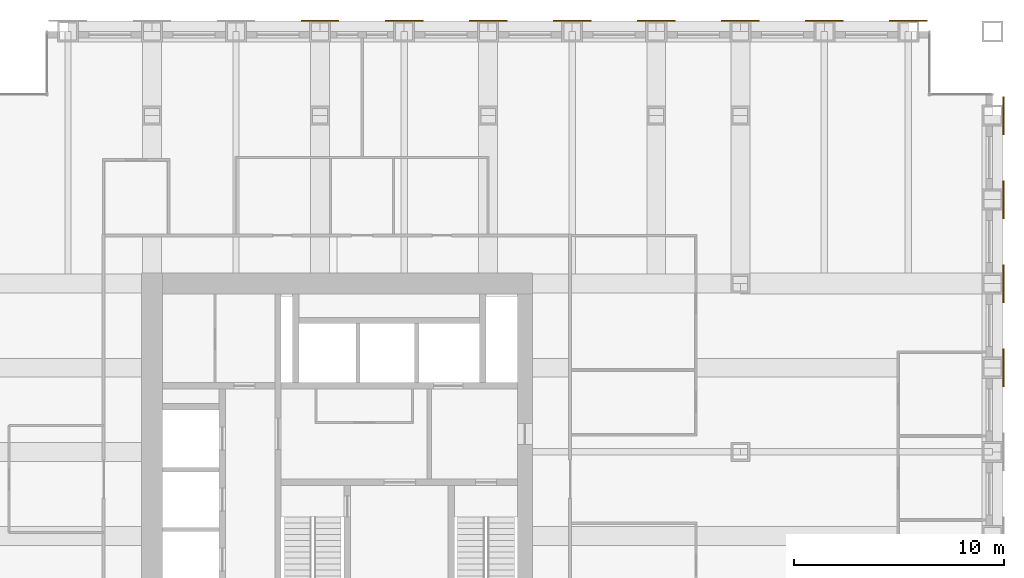
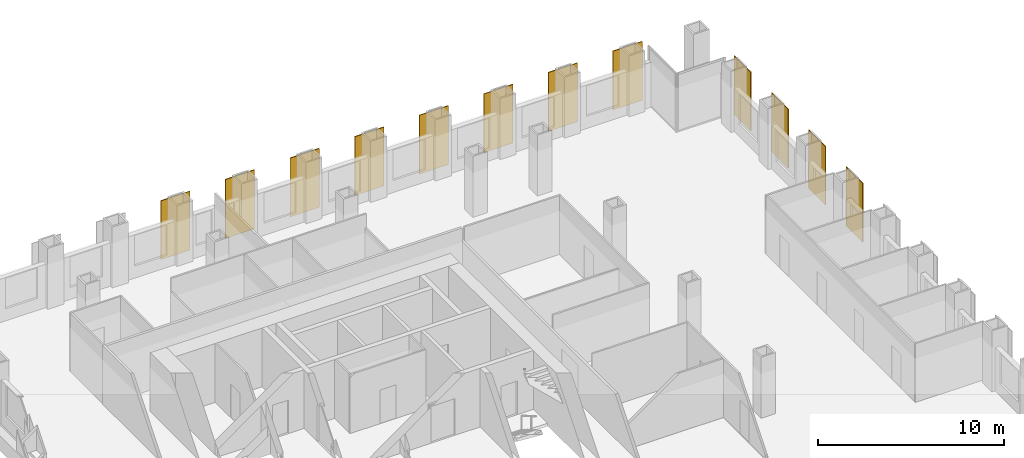
# One storey, part 16 of 16: 12 shading devices.
"""IFC4 building model written with IfcOpenShell, lengths in metres."""

from ifc_helpers import new_model, si_unit, direction, frame, origin, origin_2d, place, context, subcontext, project, spatial, rectangle, extrude, material, layer, layer_set, type_object, element, save


model = new_model("IFC4")

# Units and contexts
model_context = context("Model", 3, precision=1e-05, world=origin(), true_north=direction((0.0, 1.0)))
body_context = subcontext(model_context, "Body", "Model", "MODEL_VIEW")
ifc_project = project(units=[si_unit("LENGTHUNIT", "METRE"), si_unit("AREAUNIT", "SQUARE_METRE"), si_unit("VOLUMEUNIT", "CUBIC_METRE"), si_unit("PLANEANGLEUNIT", "RADIAN"), si_unit("MASSUNIT", "GRAM", prefix="KILO")], contexts=[model_context])

# Site, building, storey
site_placement = place(None, origin())
site = spatial("IfcSite", under=ifc_project, at=site_placement, CompositionType="ELEMENT")
building_placement = place(site_placement, origin())
building = spatial("IfcBuilding", under=site, at=building_placement, Name="Rimbunsela Tower", CompositionType="ELEMENT")
storey_placement = place(building_placement, frame((0.0, 0.0, 85.39990234375)))
storey = spatial("IfcBuildingStorey", under=building, at=storey_placement, Name="L20", CompositionType="ELEMENT", Elevation=85.39990234375)

# Shading devices
ifc_material = material(Name="Perforated aluminium, 35 % open area", Category="aluminium")
ifc_layer = layer(ifc_material, 0.050048828125)
ifc_layer_set = layer_set([ifc_layer], Name="Solar screen panel 1800")
shading_device_type = type_object("IfcShadingDeviceType", Name="Solar screen panel 1800", PredefinedType="USERDEFINED", material=ifc_layer_set)
for number, where, z_axis, x_axis, name in (
    (1, (58.52490234375, 32.0, 0.0), (0.0, 0.0, 1.0), (0.0, 1.0, 0.0), "Solar screen E L20"),
    (2, (58.52490234375, 36.0, 0.0), (0.0, 0.0, 1.0), (0.0, 1.0, 0.0), "Solar screen E L20"),
    (3, (58.52490234375, 40.0, 0.0), (0.0, 0.0, 1.0), (0.0, 1.0, 0.0), "Solar screen E L20"),
    (4, (58.52490234375, 44.0, 0.0), (0.0, 0.0, 1.0), (0.0, 1.0, 0.0), "Solar screen E L20"),
    (5, (26.0, 48.52490234375, 0.0), (0.0, 0.0, 1.0), (1.0, 0.0, 0.0), "Solar screen N L20"),
    (6, (30.0, 48.52490234375, 0.0), (0.0, 0.0, 1.0), (1.0, 0.0, 0.0), "Solar screen N L20"),
    (7, (34.0, 48.52490234375, 0.0), (0.0, 0.0, 1.0), (1.0, 0.0, 0.0), "Solar screen N L20"),
    (8, (38.0, 48.52490234375, 0.0), (0.0, 0.0, 1.0), (1.0, 0.0, 0.0), "Solar screen N L20"),
    (9, (42.0, 48.52490234375, 0.0), (0.0, 0.0, 1.0), (1.0, 0.0, 0.0), "Solar screen N L20"),
    (10, (46.0, 48.52490234375, 0.0), (0.0, 0.0, 1.0), (1.0, 0.0, 0.0), "Solar screen N L20"),
    (11, (50.0, 48.52490234375, 0.0), (0.0, 0.0, 1.0), (1.0, 0.0, 0.0), "Solar screen N L20"),
    (12, (54.0, 48.52490234375, 0.0), (0.0, 0.0, 1.0), (1.0, 0.0, 0.0), "Solar screen N L20"),
):
    element("IfcShadingDevice", number, at=place(storey_placement, frame(where, z_axis=z_axis, x_axis=x_axis)), inside=storey, type_object=shading_device_type, Name=name, ObjectType="SCREEN", PredefinedType="USERDEFINED", context=body_context, shape_type="SweptSolid", body=[
        extrude(rectangle(XDim=1.800048828125, YDim=0.050048828125, at=origin_2d()), origin(), (0.0, 0.0, 1.0), 3.85009765625),
    ])

save(model, "model.ifc")
